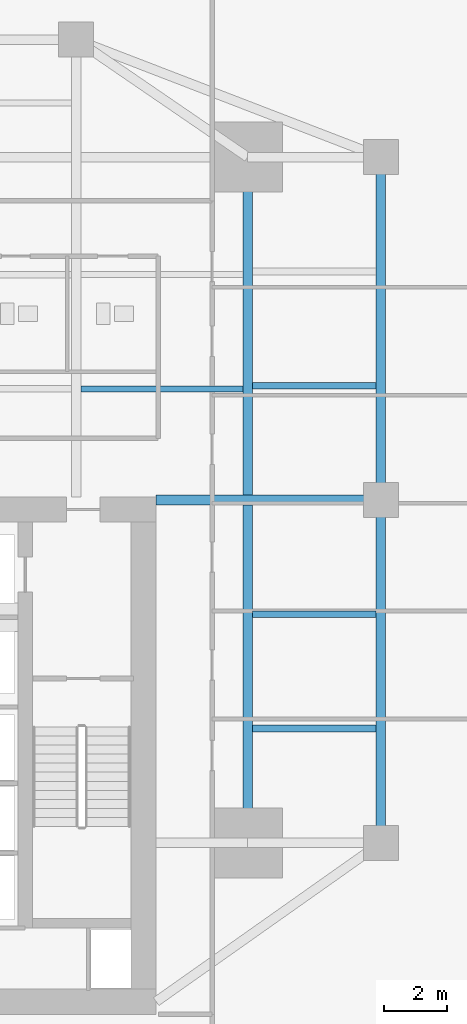
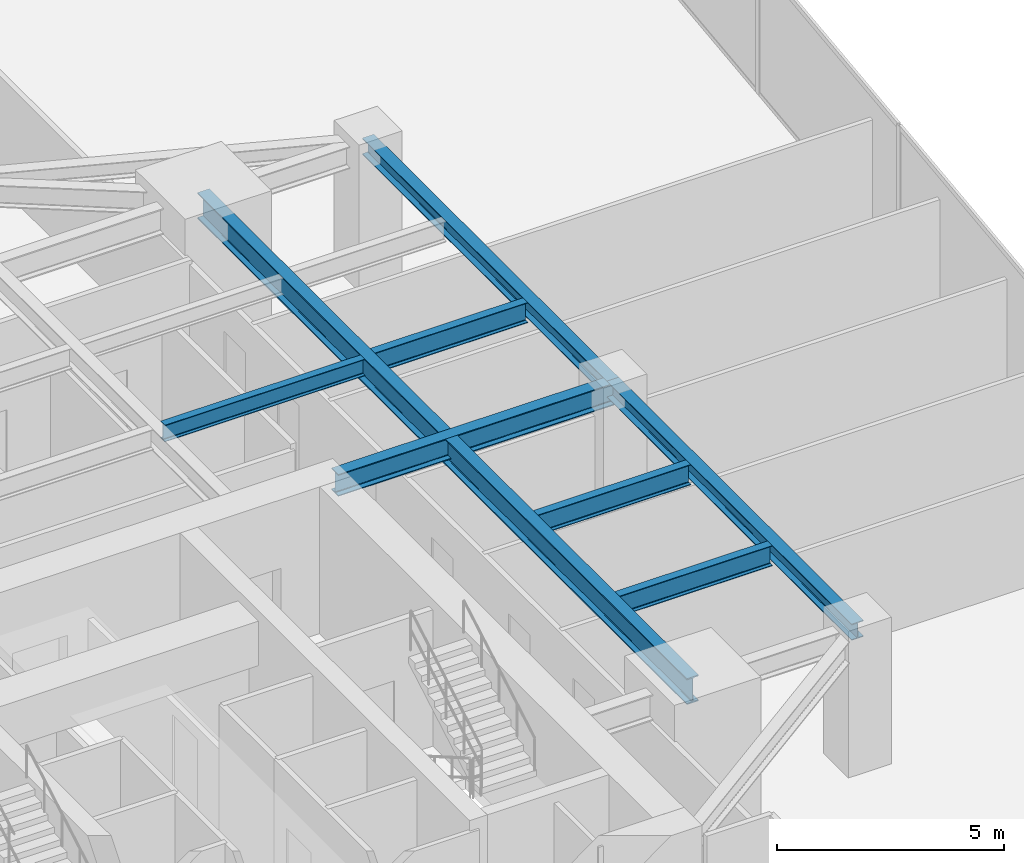
# One storey, part 15 of 30: 8 beams.
"""IFC4 building model written with IfcOpenShell, lengths in metres."""

import ifcopenshell
import ifcopenshell.guid

model = None  # the IFC model being written
_history = None  # IfcOwnerHistory: only IFC2X3 demands one
_inside = {}  # id of a spatial element -> (the spatial element, [elements in it])
_under = {}  # id of a project, library or spatial element -> (it, [spatial elements below it])
_declared = {}  # id of a project -> (the project, [libraries it declares])
_typed = {}  # id of a type object -> (the type object, [elements of that type])
_made_of = {}  # id of a material, layer set ... -> (it, [elements and type objects made of it])


def new_model(schema):
    """Start an empty IFC model of exactly this schema.

    Asked for "IFC4X3", IfcOpenShell would pick the latest addendum, in which some entities
    have other attributes; the version numbers below select the first issue.
    IFC2X3 requires an IfcOwnerHistory on every rooted entity: one is made here for all.
    """
    global model, _history
    if schema == "IFC4X3":
        model = ifcopenshell.file(schema_version=(4, 3, 0, 0))
    else:
        model = ifcopenshell.file(schema=schema)
    _inside.clear()
    _under.clear()
    _declared.clear()
    _typed.clear()
    _made_of.clear()
    _history = None
    if model.schema == "IFC2X3":
        org = make("IfcOrganization", Name="unknown")
        user = make(
            "IfcPersonAndOrganization",
            ThePerson=make("IfcPerson", FamilyName="unknown"),
            TheOrganization=org,
        )
        app = make(
            "IfcApplication",
            ApplicationDeveloper=org,
            Version="unknown",
            ApplicationFullName="unknown",
            ApplicationIdentifier="unknown",
        )
        _history = make(
            "IfcOwnerHistory",
            OwningUser=user,
            OwningApplication=app,
            ChangeAction="ADDED",
            CreationDate=0,
        )
    return model


def make(cls, **values):
    """One entity of the class cls with the attributes given. An attribute that is None is left unset."""
    return model.create_entity(
        cls, **{name: value for name, value in values.items() if value is not None}
    )


def rooted(cls, **values):
    """An entity with a GlobalId (a new one), such as an element, a storey or a relation."""
    return make(cls, GlobalId=ifcopenshell.guid.new(), OwnerHistory=_history, **values)


def si_unit(unit_type, name, prefix=None):
    """IfcSIUnit, for example si_unit("LENGTHUNIT", "METRE", prefix="MILLI")."""
    return make("IfcSIUnit", UnitType=unit_type, Prefix=prefix, Name=name)


def assignment(units):
    """IfcUnitAssignment: the units of a project."""
    return None if units is None else make("IfcUnitAssignment", Units=units)


def point(xyz):
    """IfcCartesianPoint."""
    return None if xyz is None else make("IfcCartesianPoint", Coordinates=xyz)


def direction(xyz):
    """IfcDirection."""
    return None if xyz is None else make("IfcDirection", DirectionRatios=xyz)


def frame(location, z_axis=None, x_axis=None):
    """IfcAxis2Placement3D, a coordinate frame: its origin and axes. An axis left out is left unset."""
    return make(
        "IfcAxis2Placement3D",
        Location=point(location),
        Axis=direction(z_axis),
        RefDirection=direction(x_axis),
    )


def frame_2d(location, x_axis=None):
    """IfcAxis2Placement2D, a coordinate frame in the plane: its origin and x axis."""
    return make(
        "IfcAxis2Placement2D", Location=point(location), RefDirection=direction(x_axis)
    )


def origin():
    """The frame at (0, 0, 0) with its axes left unset."""
    return frame((0.0, 0.0, 0.0))


def origin_2d():
    """The frame at (0, 0) in the plane with its x axis left unset."""
    return frame_2d((0.0, 0.0))


def place(relative_to, where):
    """IfcLocalPlacement: puts the frame where relative to a parent placement (None: the world)."""
    return make(
        "IfcLocalPlacement", PlacementRelTo=relative_to, RelativePlacement=where
    )


def context(
    kind, dimensions, precision=None, world=None, true_north=None, identifier=None
):
    """IfcGeometricRepresentationContext, for example the 3D "Model" context."""
    return make(
        "IfcGeometricRepresentationContext",
        ContextIdentifier=identifier,
        ContextType=kind,
        CoordinateSpaceDimension=dimensions,
        Precision=precision,
        WorldCoordinateSystem=world,
        TrueNorth=true_north,
    )


def subcontext(parent, identifier, kind, view, scale=None):
    """IfcGeometricRepresentationSubContext, for example "Body" below "Model"."""
    return make(
        "IfcGeometricRepresentationSubContext",
        ContextIdentifier=identifier,
        ContextType=kind,
        ParentContext=parent,
        TargetScale=scale,
        TargetView=view,
    )


def project(units=None, contexts=None):
    """IfcProject with its units and contexts."""
    return rooted(
        "IfcProject",
        Name="project",
        RepresentationContexts=contexts,
        UnitsInContext=assignment(units),
    )


def spatial(cls, under=None, at=None, **own):
    """A site, building, storey or space (cls), placed at a placement, below another one or the project."""
    s = rooted(cls, ObjectPlacement=at, **own)
    if under is not None:
        _under.setdefault(under.id(), (under, []))[1].append(s)
    return s


def profile(cls, at=None, kind="AREA", **sizes):
    """A parametric profile (cls). Its sizes go by their IFC names, for example OverallWidth=200.0."""
    return make(cls, ProfileType=kind, Position=at, **sizes)


def i_section(**sizes):
    """IfcIShapeProfileDef."""
    return profile("IfcIShapeProfileDef", **sizes)


def extrude(swept, where, along, depth):
    """IfcExtrudedAreaSolid: the profile swept, set in the frame where, extruded along a direction by depth."""
    return make(
        "IfcExtrudedAreaSolid",
        SweptArea=swept,
        Position=where,
        ExtrudedDirection=direction(along),
        Depth=depth,
    )


def shape(context_of_items, identifier, shape_type, items):
    """IfcShapeRepresentation: the items that make up one representation, for example the "Body"."""
    return make(
        "IfcShapeRepresentation",
        ContextOfItems=context_of_items,
        RepresentationIdentifier=identifier,
        RepresentationType=shape_type,
        Items=items,
    )


def source(mapping_origin, context_of_items, identifier, shape_type, items):
    """IfcRepresentationMap: a shape defined once, which mapped items show again and again."""
    return make(
        "IfcRepresentationMap",
        MappingOrigin=mapping_origin,
        MappedRepresentation=shape(context_of_items, identifier, shape_type, items),
    )


def transform(
    local_origin,
    x_axis=None,
    y_axis=None,
    z_axis=None,
    scale=None,
    scale2=None,
    scale3=None,
    uniform=True,
):
    """IfcCartesianTransformationOperator3D, or its non-uniform kind. x_axis, y_axis, z_axis: its Axis1, 2, 3."""
    if uniform:
        return make(
            "IfcCartesianTransformationOperator3D",
            Axis1=direction(x_axis),
            Axis2=direction(y_axis),
            LocalOrigin=point(local_origin),
            Scale=scale,
            Axis3=direction(z_axis),
        )
    return make(
        "IfcCartesianTransformationOperator3DnonUniform",
        Axis1=direction(x_axis),
        Axis2=direction(y_axis),
        LocalOrigin=point(local_origin),
        Scale=scale,
        Axis3=direction(z_axis),
        Scale2=scale2,
        Scale3=scale3,
    )


def mapped(mapping_source, mapping_target):
    """IfcMappedItem: shows the shape of a source again, moved by a transform."""
    return make(
        "IfcMappedItem", MappingSource=mapping_source, MappingTarget=mapping_target
    )


def material(Name=None, Category=None):
    """IfcMaterial."""
    return make("IfcMaterial", Name=Name, Category=Category)


def material_profile(
    of_material, cross_section, Name=None, Category=None, Priority=None
):
    """IfcMaterialProfile: a cross section and its material."""
    return make(
        "IfcMaterialProfile",
        Name=Name,
        Material=of_material,
        Profile=cross_section,
        Priority=Priority,
        Category=Category,
    )


def profile_set(profiles, Name=None, composite=None):
    """IfcMaterialProfileSet."""
    return make(
        "IfcMaterialProfileSet",
        Name=Name,
        MaterialProfiles=profiles,
        CompositeProfile=composite,
    )


def made_of(thing, what):
    """Note that an element or type object is made of a material, layer set ...; save() writes the relation."""
    if what is not None:
        _made_of.setdefault(what.id(), (what, []))[1].append(thing)
    return thing


def type_object(cls, material=None, **own):
    """A type object (cls), such as IfcWallType, which elements share."""
    return made_of(rooted(cls, **own), material)


def type_shapes(of_type, sources):
    """Give a type object the sources (RepresentationMaps) that its elements show as mapped items."""
    of_type.RepresentationMaps = sources


def element(
    cls,
    number,
    at=None,
    inside=None,
    cuts=None,
    type_object=None,
    material=None,
    context=None,
    identifier="Body",
    shape_type=None,
    held_by="IfcProductDefinitionShape",
    body=None,
    shapes=None,
    **own,
):
    """One element of the class cls, such as IfcWall. Its Tag is "e" and its number.

    at: its placement. inside: the storey or other place that contains it. cuts: it is an
    opening in that element (IfcRelVoidsElement). A single representation is given by context,
    identifier, shape_type and body (its items); several are given by shapes. held_by: the class
    of the entity that holds the representations. save() writes the other relations.
    """
    e = rooted(cls, Tag="e%d" % number, ObjectPlacement=at, **own)
    if body is not None:
        shapes = [shape(context, identifier, shape_type, body)]
    if shapes is not None:
        e.Representation = make(held_by, Representations=shapes)
    if inside is not None:
        _inside.setdefault(inside.id(), (inside, []))[1].append(e)
    if cuts is not None:
        rooted(
            "IfcRelVoidsElement", RelatingBuildingElement=cuts, RelatedOpeningElement=e
        )
    if type_object is not None:
        _typed.setdefault(type_object.id(), (type_object, []))[1].append(e)
    return made_of(e, material)


def aggregate(whole, parts):
    """IfcRelAggregates: a whole, such as a stair, and the parts it consists of."""
    return rooted("IfcRelAggregates", RelatingObject=whole, RelatedObjects=parts)


def save(model, path):
    """Write the relations noted so far, then the file.

    IfcRelAggregates (storeys below a building ...), IfcRelContainedInSpatialStructure (elements
    in a storey), IfcRelDefinesByType, IfcRelAssociatesMaterial and IfcRelDeclares: one each for
    every whole, place, type object, material and project.
    """
    for whole, parts in _under.values():
        aggregate(whole, parts)
    for where, things in _inside.values():
        rooted(
            "IfcRelContainedInSpatialStructure",
            RelatedElements=things,
            RelatingStructure=where,
        )
    for kind, things in _typed.values():
        rooted("IfcRelDefinesByType", RelatedObjects=things, RelatingType=kind)
    for what, things in _made_of.values():
        rooted("IfcRelAssociatesMaterial", RelatedObjects=things, RelatingMaterial=what)
    for by, libraries in _declared.values():
        rooted("IfcRelDeclares", RelatingContext=by, RelatedDefinitions=libraries)
    model.write(path)


model = new_model("IFC4")

# Units and contexts
model_context = context("Model", 3, precision=1e-05, world=origin(), true_north=direction((0.0, 1.0)))
body_context = subcontext(model_context, "Body", "Model", "MODEL_VIEW")
ifc_project = project(units=[si_unit("LENGTHUNIT", "METRE"), si_unit("AREAUNIT", "SQUARE_METRE"), si_unit("VOLUMEUNIT", "CUBIC_METRE"), si_unit("PLANEANGLEUNIT", "RADIAN"), si_unit("MASSUNIT", "GRAM", prefix="KILO")], contexts=[model_context])

# Site, building, storey
site_placement = place(None, origin())
site = spatial("IfcSite", under=ifc_project, at=site_placement, CompositionType="ELEMENT")
building_placement = place(site_placement, origin())
building = spatial("IfcBuilding", under=site, at=building_placement, Name="Krantzveldt Concourse Tower", CompositionType="ELEMENT")
storey_placement = place(building_placement, frame((0.0, 0.0, 52.64990234375)))
storey = spatial("IfcBuildingStorey", under=building, at=storey_placement, Name="L12", CompositionType="ELEMENT", Elevation=52.64990234375)

# Beams
ifc_material_1 = material(Name="Steel S355J2", Category="steel")
ifc_material_profile_1 = material_profile(ifc_material_1, i_section(OverallWidth=0.300048828125, OverallDepth=0.699951171875, WebThickness=0.01708984375, FlangeThickness=0.031982421875, FilletRadius=0.027099609375, at=origin_2d()), Name="Steel S355J2", Category="steel")
ifc_profile_set_1 = profile_set([ifc_material_profile_1], Name="Steel S355J2 - HEB 700")
beam_type_1 = type_object("IfcBeamType", Name="BM-B-HEB700", PredefinedType="BEAM", material=ifc_profile_set_1)
shared_shape_1 = source(origin(), body_context, "Body", "SweptSolid", [
    extrude(i_section(OverallWidth=0.300048828125, OverallDepth=0.699951171875, WebThickness=0.01708984375, FlangeThickness=0.031982421875, FilletRadius=0.027099609375, at=origin_2d()), origin(), (0.0, 0.0, 1.0), 21.60009765625),
])
type_shapes(beam_type_1, [shared_shape_1])
beam_1_placement = place(storey_placement, frame((46.800048828125, 15.89990234375, 3.320068359375), z_axis=(0.0, 1.0, 0.0), x_axis=(-1.0, 0.0, 0.0)))
element("IfcBeam", 1, at=beam_1_placement, inside=storey, type_object=beam_type_1, Name="L12 Tower Girder BG-ME", PredefinedType="BEAM", context=body_context, shape_type="MappedRepresentation", body=[
    mapped(shared_shape_1, transform((0.0, 0.0, 0.0), x_axis=(1.0, 0.0, 0.0), y_axis=(0.0, 1.0, 0.0), z_axis=(0.0, 0.0, 1.0), scale=1.0)),
])
ifc_material_2 = material(Name="Steel S355JR", Category="steel")
ifc_material_profile_2 = material_profile(ifc_material_2, i_section(OverallWidth=0.300048828125, OverallDepth=0.590087890625, WebThickness=0.012939453125, FlangeThickness=0.02490234375, FilletRadius=0.027099609375, at=origin_2d()), Name="Steel S355JR", Category="steel")
ifc_profile_set_2 = profile_set([ifc_material_profile_2], Name="Steel S355JR - HEA 600")
beam_type_2 = type_object("IfcBeamType", Name="BM-B-HEA600", PredefinedType="BEAM", material=ifc_profile_set_2)
shared_shape_2 = source(origin(), body_context, "Body", "SweptSolid", [
    extrude(i_section(OverallWidth=0.300048828125, OverallDepth=0.590087890625, WebThickness=0.012939453125, FlangeThickness=0.02490234375, FilletRadius=0.027099609375, at=origin_2d()), origin(), (0.0, 0.0, 1.0), 7.080078125),
])
type_shapes(beam_type_2, [shared_shape_2])
beam_2_placement = place(storey_placement, frame((43.919921875, 26.699951171875, 3.375), z_axis=(1.0, 0.0, 0.0), x_axis=(0.0, 1.0, 0.0)))
element("IfcBeam", 2, at=beam_2_placement, inside=storey, type_object=beam_type_2, Name="L12 Tower Girder BG-CE2", PredefinedType="BEAM", context=body_context, shape_type="MappedRepresentation", body=[
    mapped(shared_shape_2, transform((0.0, 0.0, 0.0), x_axis=(1.0, 0.0, 0.0), y_axis=(0.0, 1.0, 0.0), z_axis=(0.0, 0.0, 1.0), scale=1.0)),
])
ifc_material_profile_3 = material_profile(ifc_material_2, i_section(OverallWidth=0.300048828125, OverallDepth=0.43994140625, WebThickness=0.011474609375, FlangeThickness=0.02099609375, FilletRadius=0.027099609375, at=origin_2d()), Name="Steel S355JR", Category="steel")
ifc_profile_set_3 = profile_set([ifc_material_profile_3], Name="Steel S355JR - HEA 450")
beam_type_3 = type_object("IfcBeamType", Name="BM-SP-HEA450", PredefinedType="SPANDREL", material=ifc_profile_set_3)
shared_shape_3 = source(origin(), body_context, "Body", "SweptSolid", [
    extrude(i_section(OverallWidth=0.300048828125, OverallDepth=0.43994140625, WebThickness=0.011474609375, FlangeThickness=0.02099609375, FilletRadius=0.027099609375, at=origin_2d()), origin(), (0.0, 0.0, 1.0), 10.800048828125),
])
type_shapes(beam_type_3, [shared_shape_3])
for number, where, z_axis, x_axis, name in (
    (3, (51.0, 37.5, 3.4501953125), (0.0, -1.0, 0.0), (1.0, 0.0, 0.0), "L12 Tower Girder SP-R06"),
    (4, (51.0, 26.699951171875, 3.4501953125), (0.0, -1.0, 0.0), (1.0, 0.0, 0.0), "L12 Tower Girder SP-R07"),
):
    element("IfcBeam", number, at=place(storey_placement, frame(where, z_axis=z_axis, x_axis=x_axis)), inside=storey, type_object=beam_type_3, Name=name, PredefinedType="SPANDREL", context=body_context, shape_type="MappedRepresentation", body=[
        mapped(shared_shape_3, transform((0.0, 0.0, 0.0), x_axis=(1.0, 0.0, 0.0), y_axis=(0.0, 1.0, 0.0), z_axis=(0.0, 0.0, 1.0), scale=1.0)),
    ])
ifc_material_profile_4 = material_profile(ifc_material_2, i_section(OverallWidth=0.18994140625, OverallDepth=0.449951171875, WebThickness=0.009521484375, FlangeThickness=0.0146484375, FilletRadius=0.02099609375, at=origin_2d()), Name="Steel S355JR", Category="steel")
ifc_profile_set_4 = profile_set([ifc_material_profile_4], Name="Steel S355JR - IPE 450")
beam_type_4 = type_object("IfcBeamType", Name="BM-J-IPE450", PredefinedType="JOIST", material=ifc_profile_set_4)
shared_shape_4 = source(origin(), body_context, "Body", "SweptSolid", [
    extrude(i_section(OverallWidth=0.18994140625, OverallDepth=0.449951171875, WebThickness=0.009521484375, FlangeThickness=0.0146484375, FilletRadius=0.02099609375, at=origin_2d()), origin(), (0.0, 0.0, 1.0), 5.099853515625),
])
type_shapes(beam_type_4, [shared_shape_4])
beam_3_placement = place(storey_placement, frame((41.550048828125, 30.199951171875, 3.445068359375), z_axis=(1.0, 0.0, 0.0), x_axis=(0.0, 1.0, 0.0)))
element("IfcBeam", 5, at=beam_3_placement, inside=storey, type_object=beam_type_4, Name="L12 Secondary Floor Joist JN-E1", PredefinedType="JOIST", context=body_context, shape_type="MappedRepresentation", body=[
    mapped(shared_shape_4, transform((0.0, 0.0, 0.0), x_axis=(1.0, 0.0, 0.0), y_axis=(0.0, 1.0, 0.0), z_axis=(0.0, 0.0, 1.0), scale=1.0)),
])
ifc_material_profile_5 = material_profile(ifc_material_2, i_section(OverallWidth=0.2099609375, OverallDepth=0.550048828125, WebThickness=0.010986328125, FlangeThickness=0.01708984375, FilletRadius=0.02392578125, at=origin_2d()), Name="Steel S355JR", Category="steel")
ifc_profile_set_5 = profile_set([ifc_material_profile_5], Name="Steel S355JR - IPE 550")
beam_type_5 = type_object("IfcBeamType", Name="BM-J-IPE550", PredefinedType="JOIST", material=ifc_profile_set_5)
shared_shape_5 = source(origin(), body_context, "Body", "SweptSolid", [
    extrude(i_section(OverallWidth=0.2099609375, OverallDepth=0.550048828125, WebThickness=0.010986328125, FlangeThickness=0.01708984375, FilletRadius=0.02392578125, at=origin_2d()), origin(), (0.0, 0.0, 1.0), 3.900146484375),
])
type_shapes(beam_type_5, [shared_shape_5])
for number, where, z_axis, x_axis, name in (
    (6, (46.949951171875, 19.5, 3.39501953125), (1.0, 0.0, 0.0), (0.0, 1.0, 0.0), "L12 Secondary Floor Joist JE-1"),
    (7, (46.949951171875, 23.10009765625, 3.39501953125), (1.0, 0.0, 0.0), (0.0, 1.0, 0.0), "L12 Secondary Floor Joist JE-2"),
    (8, (46.949951171875, 30.300048828125, 3.39501953125), (1.0, 0.0, 0.0), (0.0, 1.0, 0.0), "L12 Secondary Floor Joist JE-3"),
):
    element("IfcBeam", number, at=place(storey_placement, frame(where, z_axis=z_axis, x_axis=x_axis)), inside=storey, type_object=beam_type_5, Name=name, PredefinedType="JOIST", context=body_context, shape_type="MappedRepresentation", body=[
        mapped(shared_shape_5, transform((0.0, 0.0, 0.0), x_axis=(1.0, 0.0, 0.0), y_axis=(0.0, 1.0, 0.0), z_axis=(0.0, 0.0, 1.0), scale=1.0)),
    ])

save(model, "model.ifc")
